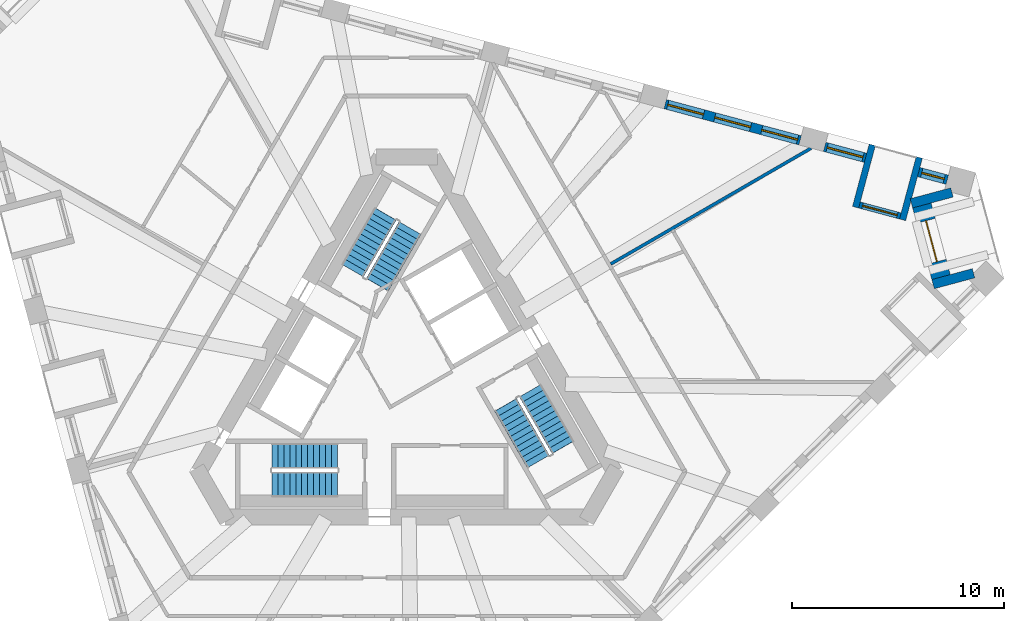
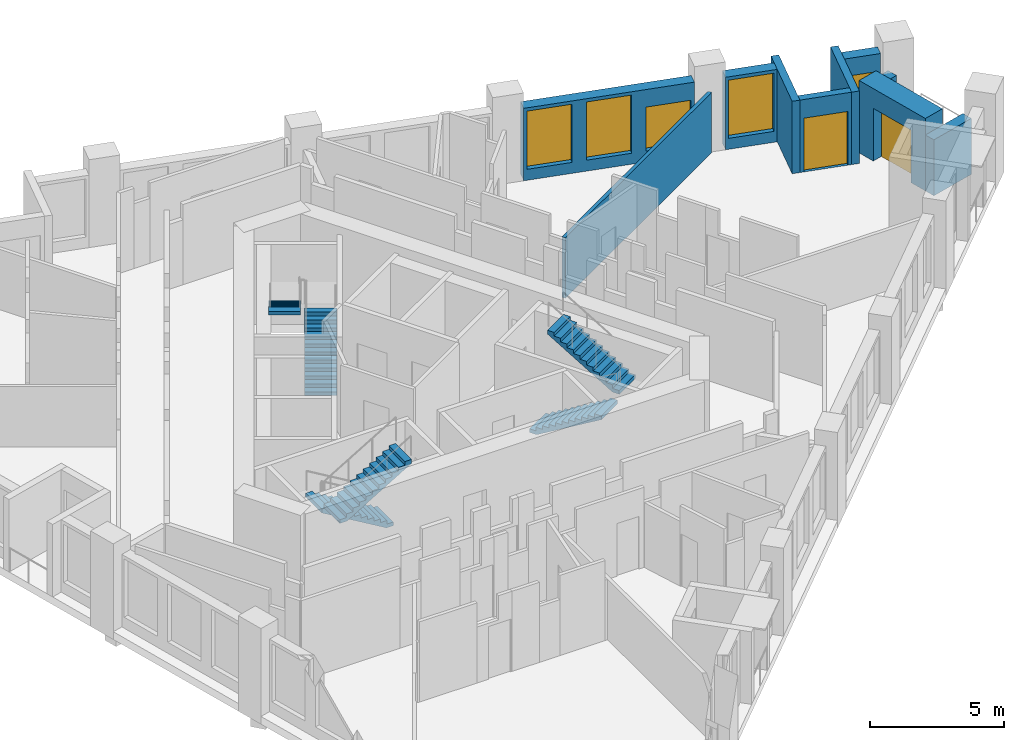
# One storey, part 9 of 13: 10 walls, 6 stair flights, 5 windows, 2 doors, 7 openings, 3 elements without a shape of their own.
"""IFC4 building model written with IfcOpenShell, lengths in metres."""

from ifc_helpers import new_model, si_unit, direction, frame, frame_2d, origin, place, context, subcontext, project, spatial, polyline, rectangle, outline, extrude, material, layer, layer_set, type_object, element, fill, aggregate, save


model = new_model("IFC4")

# Units and contexts
model_context = context("Model", 3, precision=1e-05, world=origin(), true_north=direction((0.0, 1.0)))
body_context = subcontext(model_context, "Body", "Model", "MODEL_VIEW")
ifc_project = project(units=[si_unit("LENGTHUNIT", "METRE"), si_unit("AREAUNIT", "SQUARE_METRE"), si_unit("VOLUMEUNIT", "CUBIC_METRE"), si_unit("PLANEANGLEUNIT", "RADIAN"), si_unit("MASSUNIT", "GRAM", prefix="KILO")], contexts=[model_context])

# Site, building, storey
site_placement = place(None, origin())
site = spatial("IfcSite", under=ifc_project, at=site_placement, CompositionType="ELEMENT")
building_placement = place(site_placement, origin())
building = spatial("IfcBuilding", under=site, at=building_placement, Name="Tramontana Tower", CompositionType="ELEMENT")
storey_placement = place(building_placement, frame((0.0, 0.0, 200.0)))
storey = spatial("IfcBuildingStorey", under=building, at=storey_placement, Name="L46", CompositionType="ELEMENT", Elevation=200.0)

# Wall, opening, window
ifc_material_1 = material(Name="Precast concrete 60 MPa", Category="concrete")
ifc_layer_1 = layer(ifc_material_1, 0.449951171875)
ifc_layer_set_1 = layer_set([ifc_layer_1], Name="Precast concrete 60 MPa, 450 mm")
wall_type_1 = type_object("IfcWallType", Name="EW1 Stone-faced precast wall 450", PredefinedType="SOLIDWALL", material=ifc_layer_set_1)
wall_1_placement = place(storey_placement, frame((25.522705078125, 9.54443359375, 0.0), z_axis=(0.0, 0.0, 1.0), x_axis=(-0.965938699585, 0.258770996527, 0.0)))
wall_1 = element("IfcWall", 1, at=wall_1_placement, inside=storey, type_object=wall_type_1, Name="External wall L46 face 2 bay 1", PredefinedType="SOLIDWALL", context=body_context, shape_type="SweptSolid", body=[
    extrude(rectangle(XDim=1.398193359375, YDim=0.449951171875, at=frame_2d((0.69921875, 0.0))), origin(), (0.0, 0.0, 1.0), 3.300048828125),
])
opening_1_placement = place(wall_1_placement, frame((0.14892578125, 0.0, 0.5)))
opening_1 = element("IfcOpeningElement", 2, at=opening_1_placement, cuts=wall_1, Name="Opening N2L", PredefinedType="OPENING", context=body_context, shape_type="SweptSolid", body=[
    extrude(rectangle(XDim=1.10009765625, YDim=2.0, at=frame_2d((0.550048828125, 1.0))), frame((0.0, 0.23486328125, 0.0), z_axis=(0.0, -1.0, 0.0), x_axis=(1.0, 0.0, 0.0)), (0.0, 0.0, 1.0), 0.469970703125),
])
ifc_material_2 = material(Name="Aluminum frame, double glazing unit", Category="aluminium")
window_type_1 = type_object("IfcWindowType", Name="N2L Window 1.1 x 2", PartitioningType="SINGLE_PANEL", PredefinedType="WINDOW", material=ifc_material_2)
window_1_placement = place(opening_1_placement, origin())
window_1 = element("IfcWindow", 3, at=window_1_placement, inside=storey, type_object=window_type_1, Name="Window N2L L46 face 2 module 1", OverallHeight=2.0, OverallWidth=1.10009765625, PartitioningType="SINGLE_PANEL", PredefinedType="WINDOW", context=body_context, shape_type="SweptSolid", body=[
    extrude(rectangle(XDim=1.10009765625, YDim=2.0, at=frame_2d((0.550048828125, 1.0))), frame((0.0, 0.030029296875, 0.0), z_axis=(0.0, -1.0, 0.0), x_axis=(1.0, 0.0, 0.0)), (0.0, 0.0, 1.0), 0.06005859375),
])
fill(opening_1, window_1)

wall_2_placement = place(storey_placement, frame((21.66259765625, 10.578857421875, 0.0), z_axis=(0.0, 0.0, 1.0), x_axis=(-0.96593005298, 0.258803270362, 0.0)))
wall_2 = element("IfcWall", 4, at=wall_2_placement, inside=storey, type_object=wall_type_1, Name="External wall L46 face 2 bay 1", PredefinedType="SOLIDWALL", context=body_context, shape_type="SweptSolid", body=[
    extrude(rectangle(XDim=1.998046875, YDim=0.449951171875, at=frame_2d((0.9990234375, 0.0))), origin(), (0.0, 0.0, 1.0), 3.300048828125),
])
opening_2_placement = place(wall_2_placement, frame((0.1240234375, 0.0, 0.5)))
opening_2 = element("IfcOpeningElement", 5, at=opening_2_placement, cuts=wall_2, Name="Opening M2", PredefinedType="OPENING", context=body_context, shape_type="SweptSolid", body=[
    extrude(rectangle(XDim=1.75, YDim=2.64990234375, at=frame_2d((0.875, 1.324951171875))), frame((0.0, 0.23486328125, 0.0), z_axis=(0.0, -1.0, 0.0), x_axis=(1.0, 0.0, 0.0)), (0.0, 0.0, 1.0), 0.469970703125),
])
ifc_material_3 = material(Name="Aluminum frame, double glazing unit", Category="aluminium")
window_type_2 = type_object("IfcWindowType", Name="M2 Window 1.75 x 2.65", PartitioningType="SINGLE_PANEL", PredefinedType="WINDOW", material=ifc_material_3)
window_2_placement = place(opening_2_placement, origin())
window_2 = element("IfcWindow", 6, at=window_2_placement, inside=storey, type_object=window_type_2, Name="Window M2 L46 face 2 module 3", OverallHeight=2.64990234375, OverallWidth=1.75, PartitioningType="SINGLE_PANEL", PredefinedType="WINDOW", context=body_context, shape_type="SweptSolid", body=[
    extrude(rectangle(XDim=1.75, YDim=2.64990234375, at=frame_2d((0.875, 1.324951171875))), frame((0.0, 0.030029296875, 0.0), z_axis=(0.0, -1.0, 0.0), x_axis=(1.0, 0.0, 0.0)), (0.0, 0.0, 1.0), 0.06005859375),
])
fill(opening_2, window_2)

# Wall, openings, windows
wall_3_placement = place(storey_placement, frame((18.573486328125, 11.406494140625, 0.0), z_axis=(0.0, 0.0, 1.0), x_axis=(-0.965921443251, 0.258835402268, 0.0)))
wall_3 = element("IfcWall", 7, at=wall_3_placement, inside=storey, type_object=wall_type_1, Name="External wall L46 face 2 bay 2", PredefinedType="SOLIDWALL", context=body_context, shape_type="SweptSolid", body=[
    extrude(rectangle(XDim=6.593994140625, YDim=0.449951171875, at=frame_2d((3.296875, 0.0))), origin(), (0.0, 0.0, 1.0), 3.300048828125),
])
opening_3_placement = place(wall_3_placement, frame((0.1240234375, 0.0, 0.5)))
opening_3 = element("IfcOpeningElement", 8, at=opening_3_placement, cuts=wall_3, Name="Opening M2L", PredefinedType="OPENING", context=body_context, shape_type="SweptSolid", body=[
    extrude(rectangle(XDim=1.75, YDim=2.0, at=frame_2d((0.875, 1.0))), frame((0.0, 0.23486328125, 0.0), z_axis=(0.0, -1.0, 0.0), x_axis=(1.0, 0.0, 0.0)), (0.0, 0.0, 1.0), 0.469970703125),
])
opening_4_placement = place(wall_3_placement, frame((2.422119140625, 0.0, 0.5)))
opening_4 = element("IfcOpeningElement", 9, at=opening_4_placement, cuts=wall_3, Name="Opening M2", PredefinedType="OPENING", context=body_context, shape_type="SweptSolid", body=[
    extrude(rectangle(XDim=1.75, YDim=2.64990234375, at=frame_2d((0.875, 1.324951171875))), frame((0.0, 0.23486328125, 0.0), z_axis=(0.0, -1.0, 0.0), x_axis=(1.0, 0.0, 0.0)), (0.0, 0.0, 1.0), 0.469970703125),
])
opening_5_placement = place(wall_3_placement, frame((4.72021484375, 0.0, 0.5)))
opening_5 = element("IfcOpeningElement", 10, at=opening_5_placement, cuts=wall_3, Name="Opening M2", PredefinedType="OPENING", context=body_context, shape_type="SweptSolid", body=[
    extrude(rectangle(XDim=1.75, YDim=2.64990234375, at=frame_2d((0.875, 1.324951171875))), frame((0.0, 0.23486328125, 0.0), z_axis=(0.0, -1.0, 0.0), x_axis=(1.0, 0.0, 0.0)), (0.0, 0.0, 1.0), 0.469970703125),
])
window_3_placement = place(opening_4_placement, origin())
window_3 = element("IfcWindow", 11, at=window_3_placement, inside=storey, type_object=window_type_2, Name="Window M2 L46 face 2 module 5", OverallHeight=2.64990234375, OverallWidth=1.75, PartitioningType="SINGLE_PANEL", PredefinedType="WINDOW", context=body_context, shape_type="SweptSolid", body=[
    extrude(rectangle(XDim=1.75, YDim=2.64990234375, at=frame_2d((0.875, 1.324951171875))), frame((0.0, 0.030029296875, 0.0), z_axis=(0.0, -1.0, 0.0), x_axis=(1.0, 0.0, 0.0)), (0.0, 0.0, 1.0), 0.06005859375),
])
fill(opening_4, window_3)
window_4_placement = place(opening_5_placement, origin())
window_4 = element("IfcWindow", 12, at=window_4_placement, inside=storey, type_object=window_type_2, Name="Window M2 L46 face 2 module 6", OverallHeight=2.64990234375, OverallWidth=1.75, PartitioningType="SINGLE_PANEL", PredefinedType="WINDOW", context=body_context, shape_type="SweptSolid", body=[
    extrude(rectangle(XDim=1.75, YDim=2.64990234375, at=frame_2d((0.875, 1.324951171875))), frame((0.0, 0.030029296875, 0.0), z_axis=(0.0, -1.0, 0.0), x_axis=(1.0, 0.0, 0.0)), (0.0, 0.0, 1.0), 0.06005859375),
])
fill(opening_5, window_4)
ifc_material_4 = material(Name="Aluminum frame, double glazing unit", Category="aluminium")
window_type_3 = type_object("IfcWindowType", Name="M2L Window 1.75 x 2", PartitioningType="SINGLE_PANEL", PredefinedType="WINDOW", material=ifc_material_4)
window_5_placement = place(opening_3_placement, origin())
window_5 = element("IfcWindow", 13, at=window_5_placement, inside=storey, type_object=window_type_3, Name="Window M2L L46 face 2 module 4", OverallHeight=2.0, OverallWidth=1.75, PartitioningType="SINGLE_PANEL", PredefinedType="WINDOW", context=body_context, shape_type="SweptSolid", body=[
    extrude(rectangle(XDim=1.75, YDim=2.0, at=frame_2d((0.875, 1.0))), frame((0.0, 0.030029296875, 0.0), z_axis=(0.0, -1.0, 0.0), x_axis=(1.0, 0.0, 0.0)), (0.0, 0.0, 1.0), 0.06005859375),
])
fill(opening_3, window_5)

# Walls
wall_4_placement = place(storey_placement, frame((25.741943359375, 8.942138671875, 0.0), z_axis=(0.0, 0.0, 1.0), x_axis=(-0.965935388955, -0.258783354109, 0.0)))
element("IfcWall", 14, at=wall_4_placement, inside=storey, type_object=wall_type_1, Name="Corner loggia side wall L46 K52l", PredefinedType="SOLIDWALL", context=body_context, shape_type="SweptSolid", body=[
    extrude(rectangle(XDim=1.979248046875, YDim=0.449951171875, at=frame_2d((0.98974609375, 0.0))), origin(), (0.0, 0.0, 1.0), 2.550048828125),
])
wall_5_placement = place(storey_placement, frame((26.76416015625, 5.126708984375, 0.0), z_axis=(0.0, 0.0, 1.0), x_axis=(-0.965927127032, -0.258814190615, 0.0)))
element("IfcWall", 15, at=wall_5_placement, inside=storey, type_object=wall_type_1, Name="Corner loggia side wall L46 K52r", PredefinedType="SOLIDWALL", context=body_context, shape_type="SweptSolid", body=[
    extrude(rectangle(XDim=1.97900390625, YDim=0.449951171875, at=frame_2d((0.989501953125, 0.0))), origin(), (0.0, 0.0, 1.0), 2.550048828125),
])

# Wall, opening, door
ifc_material_5 = material(Name="Precast concrete 60 MPa", Category="concrete")
ifc_layer_2 = layer(ifc_material_5, 0.89990234375)
ifc_layer_set_2 = layer_set([ifc_layer_2], Name="EW2 Stone-faced corner loggia wall 900")
wall_type_2 = type_object("IfcWallType", Name="EW2 Stone-faced corner loggia wall 900", PredefinedType="SOLIDWALL", material=ifc_layer_set_2)
wall_6_placement = place(storey_placement, frame((24.322998046875, 8.3291015625, 0.0), z_axis=(0.0, 0.0, 1.0), x_axis=(0.258847652622, -0.965918160473, 0.0)))
wall_6 = element("IfcWall", 16, at=wall_6_placement, inside=storey, type_object=wall_type_2, Name="Corner loggia wall L46 K52", PredefinedType="SOLIDWALL", context=body_context, shape_type="SweptSolid", body=[
    extrude(rectangle(XDim=3.500244140625, YDim=0.89990234375, at=frame_2d((1.75, 0.0))), origin(), (0.0, 0.0, 1.0), 3.300048828125),
])
opening_6_placement = place(wall_6_placement, frame((0.75, 0.0, 0.0)))
opening_6 = element("IfcOpeningElement", 17, at=opening_6_placement, cuts=wall_6, Name="Opening BD-52C", PredefinedType="OPENING", context=body_context, shape_type="SweptSolid", body=[
    extrude(rectangle(XDim=2.0, YDim=2.39990234375, at=frame_2d((1.0, 1.199951171875))), frame((0.0, 0.4599609375, 0.0), z_axis=(0.0, -1.0, 0.0), x_axis=(1.0, 0.0, 0.0)), (0.0, 0.0, 1.0), 0.919921875),
])
ifc_material_6 = material(Name="Aluminum frame, double glazing unit", Category="aluminium")
door_type_1 = type_object("IfcDoorType", Name="BC1 Sliding door 2 x 2.4", OperationType="SLIDING_TO_LEFT", PredefinedType="DOOR", material=ifc_material_6)
door_1_placement = place(opening_6_placement, origin())
door_1 = element("IfcDoor", 18, at=door_1_placement, inside=storey, type_object=door_type_1, Name="Corner loggia door L46 K52", OperationType="SLIDING_TO_LEFT", OverallHeight=2.39990234375, OverallWidth=2.0, PredefinedType="DOOR", context=body_context, shape_type="SweptSolid", body=[
    extrude(rectangle(XDim=2.0, YDim=2.39990234375, at=frame_2d((1.0, 1.199951171875))), frame((0.0, 0.02490234375, 0.0), z_axis=(0.0, -1.0, 0.0), x_axis=(1.0, 0.0, 0.0)), (0.0, 0.0, 1.0), 0.050048828125),
])
fill(opening_6, door_1)

ifc_material_7 = material(Name="Precast concrete 60 MPa", Category="concrete")
ifc_layer_3 = layer(ifc_material_7, 0.300048828125)
ifc_layer_set_3 = layer_set([ifc_layer_3], Name="LW1 Stone-faced loggia wall 300")
wall_type_3 = type_object("IfcWallType", Name="LW1 Stone-faced loggia wall 300", PredefinedType="SOLIDWALL", material=ifc_layer_set_3)
wall_7_placement = place(storey_placement, frame((23.306640625, 7.834716796875, 0.0), z_axis=(0.0, 0.0, 1.0), x_axis=(-0.965938235865, 0.258772727493, 0.0)))
wall_7 = element("IfcWall", 19, at=wall_7_placement, inside=storey, type_object=wall_type_3, Name="Loggia wall L46 G5S2.1", PredefinedType="SOLIDWALL", context=body_context, shape_type="SweptSolid", body=[
    extrude(rectangle(XDim=1.998291015625, YDim=0.300048828125, at=frame_2d((0.9990234375, 0.0))), origin(), (0.0, 0.0, 1.0), 3.300048828125),
])
opening_7_placement = place(wall_7_placement, frame((0.14892578125, 0.0, 0.0)))
opening_7 = element("IfcOpeningElement", 20, at=opening_7_placement, cuts=wall_7, Name="Opening BD-5S2-01", PredefinedType="OPENING", context=body_context, shape_type="SweptSolid", body=[
    extrude(rectangle(XDim=1.699951171875, YDim=2.449951171875, at=frame_2d((0.85009765625, 1.22509765625))), frame((0.0, 0.159912109375, 0.0), z_axis=(0.0, -1.0, 0.0), x_axis=(1.0, 0.0, 0.0)), (0.0, 0.0, 1.0), 0.320068359375),
])
ifc_material_8 = material(Name="Aluminum frame, double glazing unit", Category="aluminium")
door_type_2 = type_object("IfcDoorType", Name="BD2 Sliding door 1.7 x 2.45", OperationType="SLIDING_TO_LEFT", PredefinedType="DOOR", material=ifc_material_8)
door_2_placement = place(opening_7_placement, origin())
door_2 = element("IfcDoor", 21, at=door_2_placement, inside=storey, type_object=door_type_2, Name="Loggia door L46 G5S2.1", OperationType="SLIDING_TO_LEFT", OverallHeight=2.449951171875, OverallWidth=1.699951171875, PredefinedType="DOOR", context=body_context, shape_type="SweptSolid", body=[
    extrude(rectangle(XDim=1.699951171875, YDim=2.449951171875, at=frame_2d((0.85009765625, 1.22509765625))), frame((0.0, 0.02490234375, 0.0), z_axis=(0.0, -1.0, 0.0), x_axis=(1.0, 0.0, 0.0)), (0.0, 0.0, 1.0), 0.050048828125),
])
fill(opening_7, door_2)

# Walls
for number, where, z_axis, x_axis, name in (
    (22, (24.201904296875, 10.59716796875, 0.0), (0.0, 0.0, 1.0), (-0.258793435045, -0.965932688119, 0.0), "Loggia return L46 G5S2.1a"),
    (23, (21.982177734375, 11.19189453125, 0.0), (0.0, 0.0, 1.0), (-0.258793435045, -0.965932688119, 0.0), "Loggia return L46 G5S2.1b"),
):
    element("IfcWall", number, at=place(storey_placement, frame(where, z_axis=z_axis, x_axis=x_axis)), inside=storey, type_object=wall_type_3, Name=name, PredefinedType="SOLIDWALL", context=body_context, shape_type="SweptSolid", body=[
        extrude(rectangle(XDim=3.050048828125, YDim=0.300048828125, at=frame_2d((1.52490234375, 0.0))), origin(), (0.0, 0.0, 1.0), 3.300048828125),
    ])
ifc_material_9 = material(Name="Gypsum board partition")
ifc_layer_4 = layer(ifc_material_9, 0.14990234375)
ifc_layer_set_4 = layer_set([ifc_layer_4], Name="PARTITION 150")
wall_type_4 = type_object("IfcWallType", Name="PARTITION 150", PredefinedType="PARTITIONING", material=ifc_layer_set_4)
wall_8_placement = place(storey_placement, frame((9.632568359375, 5.566162109375, 0.0), z_axis=(0.0, 0.0, 1.0), x_axis=(0.865840987412, 0.500319282576, 0.0)))
element("IfcWall", 24, at=wall_8_placement, inside=storey, type_object=wall_type_4, Name="Wall v50-pw21-0", PredefinedType="PARTITIONING", context=body_context, shape_type="SweptSolid", body=[
    extrude(rectangle(XDim=10.928466796875, YDim=0.14990234375, at=frame_2d((5.46435546875, 0.0))), origin(), (0.0, 0.0, 1.0), 2.75),
])

# Stair, stair flights
ifc_material_10 = material(Name="Concrete 40 MPa", Category="concrete")
stair_type = type_object("IfcStairType", Name="EXIT STAIR 24 RISERS", PredefinedType="HALF_TURN_STAIR", material=ifc_material_10)
stair_1_placement = place(storey_placement, origin())
stair_1 = element("IfcStair", 25, at=stair_1_placement, inside=storey, type_object=stair_type, Name="L46 Exit stair ST1", PredefinedType="HALF_TURN_STAIR")
ifc_material_11 = material(Name="Concrete 40 MPa", Category="concrete")
ifc_layer_5 = layer(ifc_material_11, 0.14990234375)
ifc_layer_set_5 = layer_set([ifc_layer_5], Name="EXIT STAIR FLIGHT")
stair_flight_type = type_object("IfcStairFlightType", Name="EXIT STAIR FLIGHT", PredefinedType="STRAIGHT", material=ifc_layer_set_5)
stair_flight_1_placement = place(storey_placement, frame((-1.39111328125, 4.590576171875, 0.0), z_axis=(0.0, 0.0, 1.0), x_axis=(0.5, 0.866025403784, 0.0)))
stair_flight_1 = element("IfcStairFlight", 26, at=stair_flight_1_placement, type_object=stair_flight_type, Name="ST1 flight 1", NumberOfRisers=12, NumberOfTreads=11, PredefinedType="STRAIGHT", RiserHeight=0.166666667, TreadLength=0.28, context=body_context, shape_type="SweptSolid", body=[
    extrude(outline(polyline([(-0.006103515625, 0.0), (-0.006103515625, 0.0400390625), (0.0, 0.0400390625), (0.0, 0.166748046875), (0.280029296875, 0.166748046875), (0.280029296875, 0.333251953125), (0.56005859375, 0.333251953125), (0.56005859375, 0.5), (0.840087890625, 0.5), (0.840087890625, 0.666748046875), (1.1201171875, 0.666748046875), (1.1201171875, 0.833251953125), (1.39990234375, 0.833251953125), (1.39990234375, 1.0), (1.679931640625, 1.0), (1.679931640625, 1.166748046875), (1.9599609375, 1.166748046875), (1.9599609375, 1.333251953125), (2.239990234375, 1.333251953125), (2.239990234375, 1.5), (2.52001953125, 1.5), (2.52001953125, 1.666748046875), (2.800048828125, 1.666748046875), (2.800048828125, 1.833251953125), (3.080078125, 1.833251953125), (3.0859375, 1.833251953125), (3.0859375, 1.658935546875), (0.299072265625, 0.0), (-0.006103515625, 0.0)])), frame((0.0, 0.60009765625, 0.0), z_axis=(0.0, -1.0, 0.0), x_axis=(1.0, 0.0, 0.0)), (0.0, 0.0, 1.0), 1.199951171875),
])
stair_flight_2_placement = place(storey_placement, frame((-1.020263671875, 7.932861328125, 2.0), z_axis=(0.0, 0.0, 1.0), x_axis=(-0.5, -0.866025403784, 0.0)))
stair_flight_2 = element("IfcStairFlight", 27, at=stair_flight_2_placement, type_object=stair_flight_type, Name="ST1 flight 2", NumberOfRisers=12, NumberOfTreads=11, PredefinedType="STRAIGHT", RiserHeight=0.166666667, TreadLength=0.28, context=body_context, shape_type="SweptSolid", body=[
    extrude(outline(polyline([(-0.006103515625, 0.0), (-0.006103515625, 0.0400390625), (0.0, 0.0400390625), (0.0, 0.166748046875), (0.280029296875, 0.166748046875), (0.280029296875, 0.333251953125), (0.56005859375, 0.333251953125), (0.56005859375, 0.5), (0.840087890625, 0.5), (0.840087890625, 0.666748046875), (1.1201171875, 0.666748046875), (1.1201171875, 0.833251953125), (1.39990234375, 0.833251953125), (1.39990234375, 1.0), (1.679931640625, 1.0), (1.679931640625, 1.166748046875), (1.9599609375, 1.166748046875), (1.9599609375, 1.333251953125), (2.239990234375, 1.333251953125), (2.239990234375, 1.5), (2.52001953125, 1.5), (2.52001953125, 1.666748046875), (2.800048828125, 1.666748046875), (2.800048828125, 1.833251953125), (3.080078125, 1.833251953125), (3.0859375, 1.833251953125), (3.0859375, 1.658935546875), (0.299072265625, 0.0), (-0.006103515625, 0.0)])), frame((0.0, 0.60009765625, 0.0), z_axis=(0.0, -1.0, 0.0), x_axis=(1.0, 0.0, 0.0)), (0.0, 0.0, 1.0), 1.199951171875),
])
aggregate(stair_1, [stair_flight_1, stair_flight_2])

stair_2_placement = place(storey_placement, origin())
stair_2 = element("IfcStair", 28, at=stair_2_placement, inside=storey, type_object=stair_type, Name="L46 Exit stair ST2", PredefinedType="HALF_TURN_STAIR")
stair_flight_3_placement = place(storey_placement, frame((-3.280029296875, -3.5, 0.0), z_axis=(0.0, 0.0, 1.0), x_axis=(-1.0, 0.0, 0.0)))
stair_flight_3 = element("IfcStairFlight", 29, at=stair_flight_3_placement, type_object=stair_flight_type, Name="ST2 flight 1", NumberOfRisers=12, NumberOfTreads=11, PredefinedType="STRAIGHT", RiserHeight=0.166666667, TreadLength=0.28, context=body_context, shape_type="SweptSolid", body=[
    extrude(outline(polyline([(-0.006103515625, 0.0), (-0.006103515625, 0.0400390625), (0.0, 0.0400390625), (0.0, 0.166748046875), (0.280029296875, 0.166748046875), (0.280029296875, 0.333251953125), (0.56005859375, 0.333251953125), (0.56005859375, 0.5), (0.840087890625, 0.5), (0.840087890625, 0.666748046875), (1.1201171875, 0.666748046875), (1.1201171875, 0.833251953125), (1.39990234375, 0.833251953125), (1.39990234375, 1.0), (1.679931640625, 1.0), (1.679931640625, 1.166748046875), (1.9599609375, 1.166748046875), (1.9599609375, 1.333251953125), (2.239990234375, 1.333251953125), (2.239990234375, 1.5), (2.52001953125, 1.5), (2.52001953125, 1.666748046875), (2.800048828125, 1.666748046875), (2.800048828125, 1.833251953125), (3.080078125, 1.833251953125), (3.0859375, 1.833251953125), (3.0859375, 1.658935546875), (0.299072265625, 0.0), (-0.006103515625, 0.0)])), frame((0.0, 0.60009765625, 0.0), z_axis=(0.0, -1.0, 0.0), x_axis=(1.0, 0.0, 0.0)), (0.0, 0.0, 1.0), 1.199951171875),
])
stair_flight_4_placement = place(storey_placement, frame((-6.360107421875, -4.85009765625, 2.0), z_axis=(0.0, 0.0, 1.0), x_axis=(1.0, 0.0, 0.0)))
stair_flight_4 = element("IfcStairFlight", 30, at=stair_flight_4_placement, type_object=stair_flight_type, Name="ST2 flight 2", NumberOfRisers=12, NumberOfTreads=11, PredefinedType="STRAIGHT", RiserHeight=0.166666667, TreadLength=0.28, context=body_context, shape_type="SweptSolid", body=[
    extrude(outline(polyline([(-0.006103515625, 0.0), (-0.006103515625, 0.0400390625), (0.0, 0.0400390625), (0.0, 0.166748046875), (0.280029296875, 0.166748046875), (0.280029296875, 0.333251953125), (0.56005859375, 0.333251953125), (0.56005859375, 0.5), (0.840087890625, 0.5), (0.840087890625, 0.666748046875), (1.1201171875, 0.666748046875), (1.1201171875, 0.833251953125), (1.39990234375, 0.833251953125), (1.39990234375, 1.0), (1.679931640625, 1.0), (1.679931640625, 1.166748046875), (1.9599609375, 1.166748046875), (1.9599609375, 1.333251953125), (2.239990234375, 1.333251953125), (2.239990234375, 1.5), (2.52001953125, 1.5), (2.52001953125, 1.666748046875), (2.800048828125, 1.666748046875), (2.800048828125, 1.833251953125), (3.080078125, 1.833251953125), (3.0859375, 1.833251953125), (3.0859375, 1.658935546875), (0.299072265625, 0.0), (-0.006103515625, 0.0)])), frame((0.0, 0.60009765625, 0.0), z_axis=(0.0, -1.0, 0.0), x_axis=(1.0, 0.0, 0.0)), (0.0, 0.0, 1.0), 1.199951171875),
])
aggregate(stair_2, [stair_flight_3, stair_flight_4])

stair_3_placement = place(storey_placement, origin())
stair_3 = element("IfcStair", 31, at=stair_3_placement, inside=storey, type_object=stair_type, Name="L46 Exit stair ST3", PredefinedType="HALF_TURN_STAIR")
stair_flight_5_placement = place(storey_placement, frame((4.671142578125, -1.090576171875, 0.0), z_axis=(0.0, 0.0, 1.0), x_axis=(0.5, -0.866025403784, 0.0)))
stair_flight_5 = element("IfcStairFlight", 32, at=stair_flight_5_placement, type_object=stair_flight_type, Name="ST3 flight 1", NumberOfRisers=12, NumberOfTreads=11, PredefinedType="STRAIGHT", RiserHeight=0.166666667, TreadLength=0.28, context=body_context, shape_type="SweptSolid", body=[
    extrude(outline(polyline([(-0.006103515625, 0.0), (-0.006103515625, 0.0400390625), (0.0, 0.0400390625), (0.0, 0.166748046875), (0.280029296875, 0.166748046875), (0.280029296875, 0.333251953125), (0.56005859375, 0.333251953125), (0.56005859375, 0.5), (0.840087890625, 0.5), (0.840087890625, 0.666748046875), (1.1201171875, 0.666748046875), (1.1201171875, 0.833251953125), (1.39990234375, 0.833251953125), (1.39990234375, 1.0), (1.679931640625, 1.0), (1.679931640625, 1.166748046875), (1.9599609375, 1.166748046875), (1.9599609375, 1.333251953125), (2.239990234375, 1.333251953125), (2.239990234375, 1.5), (2.52001953125, 1.5), (2.52001953125, 1.666748046875), (2.800048828125, 1.666748046875), (2.800048828125, 1.833251953125), (3.080078125, 1.833251953125), (3.0859375, 1.833251953125), (3.0859375, 1.658935546875), (0.299072265625, 0.0), (-0.006103515625, 0.0)])), frame((0.0, 0.60009765625, 0.0), z_axis=(0.0, -1.0, 0.0), x_axis=(1.0, 0.0, 0.0)), (0.0, 0.0, 1.0), 1.199951171875),
])
stair_flight_6_placement = place(storey_placement, frame((7.380126953125, -3.0830078125, 2.0), z_axis=(0.0, 0.0, 1.0), x_axis=(-0.5, 0.866025403784, 0.0)))
stair_flight_6 = element("IfcStairFlight", 33, at=stair_flight_6_placement, type_object=stair_flight_type, Name="ST3 flight 2", NumberOfRisers=12, NumberOfTreads=11, PredefinedType="STRAIGHT", RiserHeight=0.166666667, TreadLength=0.28, context=body_context, shape_type="SweptSolid", body=[
    extrude(outline(polyline([(-0.006103515625, 0.0), (-0.006103515625, 0.0400390625), (0.0, 0.0400390625), (0.0, 0.166748046875), (0.280029296875, 0.166748046875), (0.280029296875, 0.333251953125), (0.56005859375, 0.333251953125), (0.56005859375, 0.5), (0.840087890625, 0.5), (0.840087890625, 0.666748046875), (1.1201171875, 0.666748046875), (1.1201171875, 0.833251953125), (1.39990234375, 0.833251953125), (1.39990234375, 1.0), (1.679931640625, 1.0), (1.679931640625, 1.166748046875), (1.9599609375, 1.166748046875), (1.9599609375, 1.333251953125), (2.239990234375, 1.333251953125), (2.239990234375, 1.5), (2.52001953125, 1.5), (2.52001953125, 1.666748046875), (2.800048828125, 1.666748046875), (2.800048828125, 1.833251953125), (3.080078125, 1.833251953125), (3.0859375, 1.833251953125), (3.0859375, 1.658935546875), (0.299072265625, 0.0), (-0.006103515625, 0.0)])), frame((0.0, 0.60009765625, 0.0), z_axis=(0.0, -1.0, 0.0), x_axis=(1.0, 0.0, 0.0)), (0.0, 0.0, 1.0), 1.199951171875),
])
aggregate(stair_3, [stair_flight_5, stair_flight_6])

save(model, "model.ifc")
